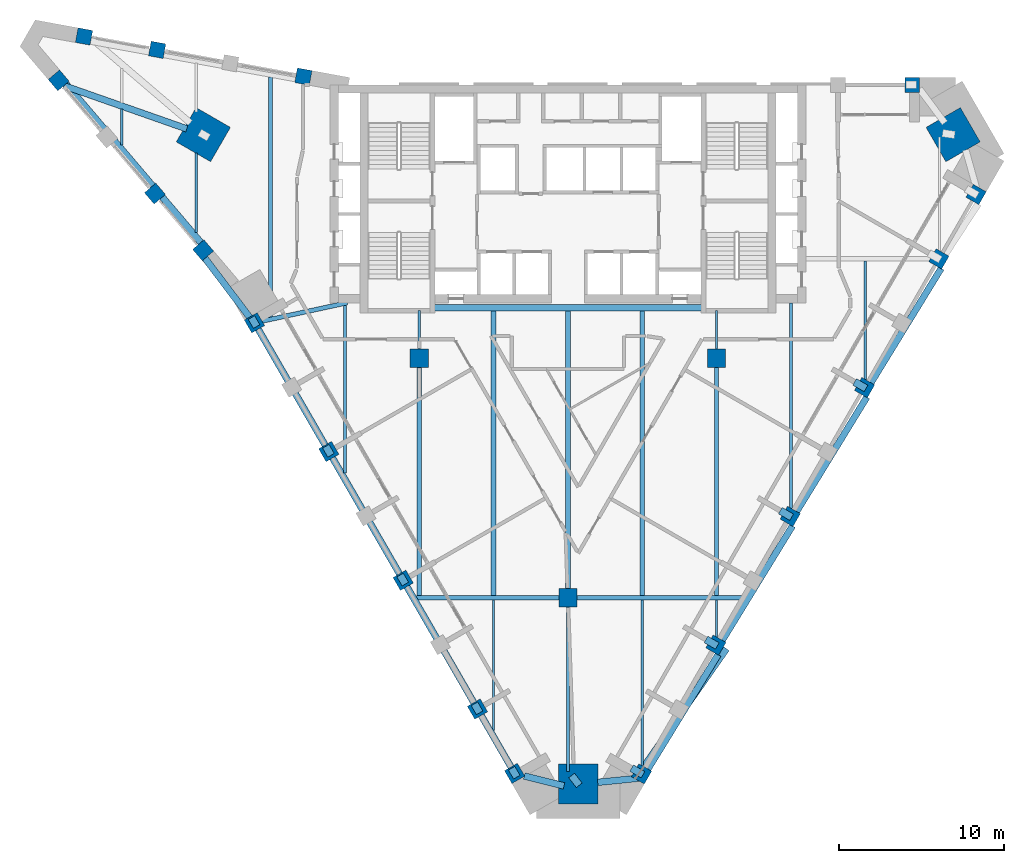
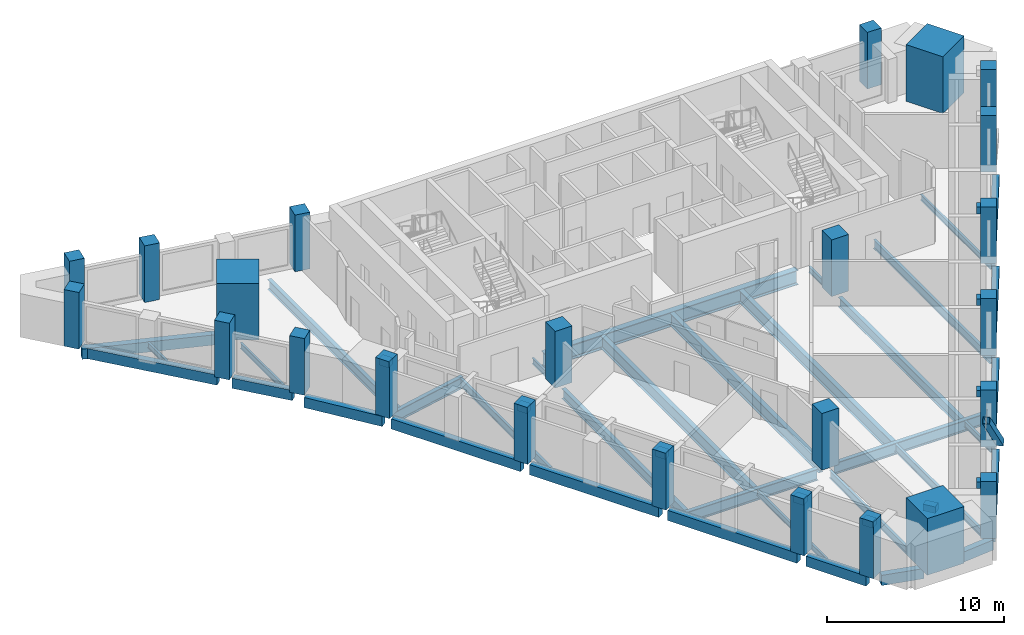
# One storey, part 1 of 9: 45 beams, 24 columns, 1 member.
"""IFC4 building model written with IfcOpenShell, lengths in metres."""

from ifc_helpers import new_model, si_unit, direction, frame, origin, origin_2d, place, context, subcontext, project, spatial, rectangle, hollow_rectangle, i_section, extrude, material, material_profile, profile_set, type_object, element, save


model = new_model("IFC4")

# Units and contexts
model_context = context("Model", 3, precision=1e-05, world=origin(), true_north=direction((0.0, 1.0)))
body_context = subcontext(model_context, "Body", "Model", "MODEL_VIEW")
ifc_project = project(units=[si_unit("LENGTHUNIT", "METRE"), si_unit("AREAUNIT", "SQUARE_METRE"), si_unit("VOLUMEUNIT", "CUBIC_METRE"), si_unit("PLANEANGLEUNIT", "RADIAN"), si_unit("MASSUNIT", "GRAM", prefix="KILO")], contexts=[model_context])

# Site, building, storey
site_placement = place(None, origin())
site = spatial("IfcSite", under=ifc_project, at=site_placement, CompositionType="ELEMENT")
building_placement = place(site_placement, origin())
building = spatial("IfcBuilding", under=site, at=building_placement, Name="Calabash Gate Tower", CompositionType="ELEMENT")
storey_placement = place(building_placement, frame((0.0, 0.0, 227.60009765625)))
storey = spatial("IfcBuildingStorey", under=building, at=storey_placement, Name="L54", CompositionType="ELEMENT", Elevation=227.60009765625)

# Columns
ifc_material_1 = material(Name="Concrete C60/75", Category="concrete")
ifc_material_profile_1 = material_profile(ifc_material_1, rectangle(XDim=1.10009765625, YDim=1.10009765625, at=origin_2d()))
ifc_profile_set_1 = profile_set([ifc_material_profile_1], Name="Concrete C60/75")
column_type_1 = type_object("IfcColumnType", Name="Interior column RC 1100x1100 Concrete C60/75", PredefinedType="COLUMN", material=ifc_profile_set_1)
for number, where, z_axis, x_axis, name in (
    (1, (-9.0, 2.5, 0.0), (0.0, 0.0, 1.0), (1.0, 0.0, 0.0), "Interior column L54 I0"),
    (2, (9.0, 2.5, 0.0), (0.0, 0.0, 1.0), (1.0, 0.0, 0.0), "Interior column L54 I1"),
    (3, (0.0, -12.0, 0.0), (0.0, 0.0, 1.0), (1.0, 0.0, 0.0), "Interior column L54 I2"),
):
    element("IfcColumn", number, at=place(storey_placement, frame(where, z_axis=z_axis, x_axis=x_axis)), inside=storey, type_object=column_type_1, Name=name, PredefinedType="COLUMN", context=body_context, shape_type="SweptSolid", body=[
        extrude(rectangle(XDim=1.10009765625, YDim=1.10009765625, at=origin_2d()), origin(), (0.0, 0.0, 1.0), 3.89990234375),
    ])
ifc_material_2 = material(Name="Concrete C70/85", Category="concrete")
ifc_material_profile_2 = material_profile(ifc_material_2, rectangle(XDim=2.39990234375, YDim=2.39990234375, at=origin_2d()))
ifc_profile_set_2 = profile_set([ifc_material_profile_2], Name="Concrete C70/85")
column_type_2 = type_object("IfcColumnType", Name="Mega column RC 2400x2400 Concrete C70/85", PredefinedType="COLUMN", material=ifc_profile_set_2)
for number, where, z_axis, x_axis, name in (
    (4, (-22.070068359375, 16.0380859375, 0.0), (0.0, 0.0, 1.0), (0.866025421238, -0.49999996977, 0.0), "Mega column L54 NW"),
    (5, (23.321044921875, 16.0380859375, 0.0), (0.0, 0.0, 1.0), (-0.866025421238, -0.49999996977, 0.0), "Mega column L54 NE"),
    (6, (0.6259765625, -23.27197265625, 0.0), (0.0, 0.0, 1.0), (0.0, 1.0, 0.0), "Mega column L54 S"),
):
    element("IfcColumn", number, at=place(storey_placement, frame(where, z_axis=z_axis, x_axis=x_axis)), inside=storey, type_object=column_type_2, Name=name, PredefinedType="COLUMN", context=body_context, shape_type="SweptSolid", body=[
        extrude(rectangle(XDim=2.39990234375, YDim=2.39990234375, at=origin_2d()), origin(), (0.0, 0.0, 1.0), 3.89990234375),
    ])
ifc_material_3 = material(Name="Concrete C60/75", Category="concrete")
ifc_material_profile_3 = material_profile(ifc_material_3, rectangle(XDim=0.89990234375, YDim=0.89990234375, at=origin_2d()))
ifc_profile_set_3 = profile_set([ifc_material_profile_3], Name="Concrete C60/75")
column_type_3 = type_object("IfcColumnType", Name="Perimeter column RC 900x900 Concrete C60/75", PredefinedType="COLUMN", material=ifc_profile_set_3)
for number, where, z_axis, x_axis, name in (
    (7, (-18.97412109375, 4.64599609375, 0.0), (0.0, 0.0, 1.0), (0.5, -0.866025403784, 0.0), "Perimeter column L54 P00"),
    (8, (-14.47412109375, -3.14794921875, 0.0), (0.0, 0.0, 1.0), (0.5, -0.866025403784, 0.0), "Perimeter column L54 P01"),
    (9, (-9.97412109375, -10.94189453125, 0.0), (0.0, 0.0, 1.0), (0.5, -0.866025403784, 0.0), "Perimeter column L54 P02"),
    (10, (-5.47412109375, -18.736083984375, 0.0), (0.0, 0.0, 1.0), (0.5, -0.866025403784, 0.0), "Perimeter column L54 P03"),
    (11, (-3.22412109375, -22.633056640625, 0.0), (0.0, 0.0, 1.0), (0.5, -0.866025403784, 0.0), "Perimeter column L54 P25"),
    (12, (4.458984375, -22.660888671875, 0.0), (0.0, 0.0, 1.0), (0.5, 0.866025403784, 0.0), "Perimeter column L54 P08"),
    (13, (8.958984375, -14.866943359375, 0.0), (0.0, 0.0, 1.0), (0.5, 0.866025403784, 0.0), "Perimeter column L54 P09"),
    (14, (13.458984375, -7.072998046875, 0.0), (0.0, 0.0, 1.0), (0.5, 0.866025403784, 0.0), "Perimeter column L54 P10"),
    (15, (17.958984375, 0.721923828125, 0.0), (0.0, 0.0, 1.0), (0.5, 0.866025403784, 0.0), "Perimeter column L54 P11"),
    (16, (22.458984375, 8.51611328125, 0.0), (0.0, 0.0, 1.0), (0.5, 0.866025403784, 0.0), "Perimeter column L54 P12"),
    (17, (24.708984375, 12.4130859375, 0.0), (0.0, 0.0, 1.0), (0.5, 0.866025403784, 0.0), "Perimeter column L54 P13"),
    (18, (20.843994140625, 19.052978515625, 0.0), (0.0, 0.0, 1.0), (-1.0, 0.0, 0.0), "Perimeter column L54 P24"),
    (19, (-16.012939453125, 19.551025390625, 0.0), (0.0, 0.0, 1.0), (-0.983669930074, 0.179981856499, 0.0), "Perimeter column L54 P31"),
    (20, (-24.865966796875, 21.1708984375, 0.0), (0.0, 0.0, 1.0), (-0.983669930074, 0.179981856499, 0.0), "Perimeter column L54 P32"),
    (21, (-29.29296875, 21.97998046875, 0.0), (0.0, 0.0, 1.0), (-0.983669930074, 0.179981856499, 0.0), "Perimeter column L54 P33"),
    (22, (-30.827880859375, 19.322021484375, 0.0), (0.0, 0.0, 1.0), (0.647703824985, -0.761892220133, 0.0), "Perimeter column L54 P34"),
    (23, (-24.998046875, 12.467041015625, 0.0), (0.0, 0.0, 1.0), (0.647703824985, -0.761892220133, 0.0), "Perimeter column L54 P20"),
    (24, (-22.083984375, 9.037109375, 0.0), (0.0, 0.0, 1.0), (0.647703824985, -0.761892220133, 0.0), "Perimeter column L54 P35"),
):
    element("IfcColumn", number, at=place(storey_placement, frame(where, z_axis=z_axis, x_axis=x_axis)), inside=storey, type_object=column_type_3, Name=name, PredefinedType="COLUMN", context=body_context, shape_type="SweptSolid", body=[
        extrude(rectangle(XDim=0.89990234375, YDim=0.89990234375, at=origin_2d()), origin(), (0.0, 0.0, 1.0), 3.89990234375),
    ])

# Beams
ifc_material_4 = material(Name="Concrete C80/95", Category="concrete")
ifc_material_profile_4 = material_profile(ifc_material_4, rectangle(XDim=0.449951171875, YDim=0.449951171875, at=origin_2d()))
ifc_profile_set_4 = profile_set([ifc_material_profile_4], Name="Concrete C80/95")
beam_type_1 = type_object("IfcBeamType", Name="Column offset link RC 450x450 Concrete C80/95", PredefinedType="BEAM", material=ifc_profile_set_4)
beam_1_placement = place(storey_placement, frame((-18.842041015625, 4.4189453125, 3.50390625), z_axis=(-0.500225913189, 0.86589493345, 0.0), x_axis=(-0.86589493345, -0.500225913189, 0.0)))
element("IfcBeam", 25, at=beam_1_placement, inside=storey, type_object=beam_type_1, Name="Column offset link L54 P00", PredefinedType="BEAM", context=body_context, shape_type="SweptSolid", body=[
    extrude(rectangle(XDim=0.449951171875, YDim=0.449951171875, at=origin_2d()), origin(), (0.0, 0.0, 1.0), 0.629638671875),
])
for number, where, z_axis, x_axis, name in (
    (26, (-14.342041015625, -3.3759765625, 3.50390625), (-0.49972245349, 0.866185586049, 0.0), (-0.866185586049, -0.49972245349, 0.0), "Column offset link L54 P01"),
    (27, (-9.842041015625, -11.169921875, 3.50390625), (-0.49972245349, 0.866185586049, 0.0), (-0.866185586049, -0.49972245349, 0.0), "Column offset link L54 P02"),
):
    element("IfcBeam", number, at=place(storey_placement, frame(where, z_axis=z_axis, x_axis=x_axis)), inside=storey, type_object=beam_type_1, Name=name, PredefinedType="BEAM", context=body_context, shape_type="SweptSolid", body=[
        extrude(rectangle(XDim=0.449951171875, YDim=0.449951171875, at=origin_2d()), origin(), (0.0, 0.0, 1.0), 0.630126953125),
    ])
beam_2_placement = place(storey_placement, frame((-5.342041015625, -18.964111328125, 3.50390625), z_axis=(-0.500225913189, 0.86589493345, 0.0), x_axis=(-0.86589493345, -0.500225913189, 0.0)))
element("IfcBeam", 28, at=beam_2_placement, inside=storey, type_object=beam_type_1, Name="Column offset link L54 P03", PredefinedType="BEAM", context=body_context, shape_type="SweptSolid", body=[
    extrude(rectangle(XDim=0.449951171875, YDim=0.449951171875, at=origin_2d()), origin(), (0.0, 0.0, 1.0), 0.629638671875),
])
beam_3_placement = place(storey_placement, frame((4.5458984375, -22.7109375, 3.50390625), z_axis=(-0.865313980427, 0.501230201882, 0.0), x_axis=(-0.501230201882, -0.865313980427, 0.0)))
element("IfcBeam", 29, at=beam_3_placement, inside=storey, type_object=beam_type_1, Name="Column offset link L54 P08", PredefinedType="BEAM", context=body_context, shape_type="SweptSolid", body=[
    extrude(rectangle(XDim=0.449951171875, YDim=0.449951171875, at=origin_2d()), origin(), (0.0, 0.0, 1.0), 0.7939453125),
])
beam_4_placement = place(storey_placement, frame((9.0458984375, -14.9169921875, 3.50390625), z_axis=(-0.866380295848, 0.499384804501, 0.0), x_axis=(-0.499384804501, -0.866380295848, 0.0)))
element("IfcBeam", 30, at=beam_4_placement, inside=storey, type_object=beam_type_1, Name="Column offset link L54 P09", PredefinedType="BEAM", context=body_context, shape_type="SweptSolid", body=[
    extrude(rectangle(XDim=0.449951171875, YDim=0.449951171875, at=origin_2d()), origin(), (0.0, 0.0, 1.0), 0.79296875),
])
beam_5_placement = place(storey_placement, frame((13.5458984375, -7.123046875, 3.50390625), z_axis=(-0.865847301479, 0.500308355439, 0.0), x_axis=(-0.500308355439, -0.865847301479, 0.0)))
element("IfcBeam", 31, at=beam_5_placement, inside=storey, type_object=beam_type_1, Name="Column offset link L54 P10", PredefinedType="BEAM", context=body_context, shape_type="SweptSolid", body=[
    extrude(rectangle(XDim=0.449951171875, YDim=0.449951171875, at=origin_2d()), origin(), (0.0, 0.0, 1.0), 0.79345703125),
])
beam_6_placement = place(storey_placement, frame((18.0458984375, 0.672119140625, 3.50390625), z_axis=(-0.866380295848, 0.499384804501, 0.0), x_axis=(-0.499384804501, -0.866380295848, 0.0)))
element("IfcBeam", 32, at=beam_6_placement, inside=storey, type_object=beam_type_1, Name="Column offset link L54 P11", PredefinedType="BEAM", context=body_context, shape_type="SweptSolid", body=[
    extrude(rectangle(XDim=0.449951171875, YDim=0.449951171875, at=origin_2d()), origin(), (0.0, 0.0, 1.0), 0.79296875),
])
beam_7_placement = place(storey_placement, frame((-3.092041015625, -22.861083984375, 3.50390625), z_axis=(-0.500225913189, 0.86589493345, 0.0), x_axis=(-0.86589493345, -0.500225913189, 0.0)))
element("IfcBeam", 33, at=beam_7_placement, inside=storey, type_object=beam_type_1, Name="Column offset link L54 P25", PredefinedType="BEAM", context=body_context, shape_type="SweptSolid", body=[
    extrude(rectangle(XDim=0.449951171875, YDim=0.449951171875, at=origin_2d()), origin(), (0.0, 0.0, 1.0), 0.629638671875),
])
beam_8_placement = place(storey_placement, frame((0.68798828125, -23.35009765625, 3.50390625), z_axis=(-0.618551093794, 0.785744579597, 0.0), x_axis=(-0.785744579597, -0.618551093794, 0.0)))
element("IfcBeam", 34, at=beam_8_placement, inside=storey, type_object=beam_type_1, Name="Column offset link L54 S", PredefinedType="BEAM", context=body_context, shape_type="SweptSolid", body=[
    extrude(rectangle(XDim=0.449951171875, YDim=0.449951171875, at=origin_2d()), origin(), (0.0, 0.0, 1.0), 0.75341796875),
])
ifc_material_5 = material(Name="Concrete C50/60", Category="concrete")
ifc_material_profile_5 = material_profile(ifc_material_5, rectangle(XDim=0.39990234375, YDim=0.699951171875, at=origin_2d()))
ifc_profile_set_5 = profile_set([ifc_material_profile_5], Name="Concrete C50/60")
beam_type_2 = type_object("IfcBeamType", Name="Edge beam RC 400x700 Concrete C50/60", PredefinedType="BEAM", material=ifc_profile_set_5)
beam_9_placement = place(storey_placement, frame((-14.260986328125, -3.51611328125, -0.52001953125), z_axis=(0.50008326424, -0.865977325816, 0.0), x_axis=(0.865977325816, 0.50008326424, 0.0)))
element("IfcBeam", 35, at=beam_9_placement, inside=storey, type_object=beam_type_2, Name="Edge beam L54 1", PredefinedType="BEAM", context=body_context, shape_type="SweptSolid", body=[
    extrude(rectangle(XDim=0.39990234375, YDim=0.699951171875, at=origin_2d()), origin(), (0.0, 0.0, 1.0), 8.41455078125),
])
beam_10_placement = place(storey_placement, frame((-9.760986328125, -11.31005859375, -0.52001953125), z_axis=(0.49997020258, -0.86604260665, 0.0), x_axis=(0.86604260665, 0.49997020258, 0.0)))
element("IfcBeam", 36, at=beam_10_placement, inside=storey, type_object=beam_type_2, Name="Edge beam L54 2", PredefinedType="BEAM", context=body_context, shape_type="SweptSolid", body=[
    extrude(rectangle(XDim=0.39990234375, YDim=0.699951171875, at=origin_2d()), origin(), (0.0, 0.0, 1.0), 8.41650390625),
])
beam_11_placement = place(storey_placement, frame((-5.260986328125, -19.10400390625, -0.52001953125), z_axis=(0.49981236974, -0.866133705068, 0.0), x_axis=(0.866133705068, 0.49981236974, 0.0)))
element("IfcBeam", 37, at=beam_11_placement, inside=storey, type_object=beam_type_2, Name="Edge beam L54 3", PredefinedType="BEAM", context=body_context, shape_type="SweptSolid", body=[
    extrude(rectangle(XDim=0.39990234375, YDim=0.699951171875, at=origin_2d()), origin(), (0.0, 0.0, 1.0), 3.91748046875),
])
beam_12_placement = place(storey_placement, frame((-2.64111328125, -22.7890625, -0.52001953125), z_axis=(0.970258111546, -0.242072710109, 0.0), x_axis=(0.242072710109, 0.970258111546, 0.0)))
element("IfcBeam", 38, at=beam_12_placement, inside=storey, type_object=beam_type_2, Name="Edge beam L54 4", PredefinedType="BEAM", context=body_context, shape_type="SweptSolid", body=[
    extrude(rectangle(XDim=0.39990234375, YDim=0.699951171875, at=origin_2d()), origin(), (0.0, 0.0, 1.0), 2.48193359375),
])
beam_13_placement = place(storey_placement, frame((1.802978515625, -23.173095703125, -0.52001953125), z_axis=(0.994956996176, 0.100302421506, 0.0), x_axis=(-0.100302421506, 0.994956996176, 0.0)))
element("IfcBeam", 39, at=beam_13_placement, inside=storey, type_object=beam_type_2, Name="Edge beam L54 5", PredefinedType="BEAM", context=body_context, shape_type="SweptSolid", body=[
    extrude(rectangle(XDim=0.39990234375, YDim=0.699951171875, at=origin_2d()), origin(), (0.0, 0.0, 1.0), 2.7236328125),
])
beam_14_placement = place(storey_placement, frame((4.8369140625, -22.383056640625, -0.52001953125), z_axis=(0.522914785384, 0.852384964219, 0.0), x_axis=(-0.852384964219, 0.522914785384, 0.0)))
element("IfcBeam", 40, at=beam_14_placement, inside=storey, type_object=beam_type_2, Name="Edge beam L54 6", PredefinedType="BEAM", context=body_context, shape_type="SweptSolid", body=[
    extrude(rectangle(XDim=0.39990234375, YDim=0.699951171875, at=origin_2d()), origin(), (0.0, 0.0, 1.0), 8.146728515625),
])
beam_15_placement = place(storey_placement, frame((9.3369140625, -14.591064453125, -0.52001953125), z_axis=(0.522701135347, 0.852515995807, 0.0), x_axis=(-0.852515995807, 0.522701135347, 0.0)))
element("IfcBeam", 41, at=beam_15_placement, inside=storey, type_object=beam_type_2, Name="Edge beam L54 7", PredefinedType="BEAM", context=body_context, shape_type="SweptSolid", body=[
    extrude(rectangle(XDim=0.39990234375, YDim=0.699951171875, at=origin_2d()), origin(), (0.0, 0.0, 1.0), 8.14990234375),
])
beam_16_placement = place(storey_placement, frame((13.8369140625, -6.797119140625, -0.52001953125), z_axis=(0.522807942643, 0.852450500093, 0.0), x_axis=(-0.852450500093, 0.522807942643, 0.0)))
element("IfcBeam", 42, at=beam_16_placement, inside=storey, type_object=beam_type_2, Name="Edge beam L54 8", PredefinedType="BEAM", context=body_context, shape_type="SweptSolid", body=[
    extrude(rectangle(XDim=0.39990234375, YDim=0.699951171875, at=origin_2d()), origin(), (0.0, 0.0, 1.0), 8.1484375),
])
beam_17_placement = place(storey_placement, frame((18.3369140625, 0.998046875, -0.52001953125), z_axis=(0.522861359582, 0.852417737178, 0.0), x_axis=(-0.852417737178, 0.522861359582, 0.0)))
element("IfcBeam", 43, at=beam_17_placement, inside=storey, type_object=beam_type_2, Name="Edge beam L54 9", PredefinedType="BEAM", context=body_context, shape_type="SweptSolid", body=[
    extrude(rectangle(XDim=0.39990234375, YDim=0.699951171875, at=origin_2d()), origin(), (0.0, 0.0, 1.0), 8.1474609375),
])
beam_18_placement = place(storey_placement, frame((-23.070068359375, 16.387939453125, -0.52001953125), z_axis=(-0.943576970451, 0.331153289028, 0.0), x_axis=(-0.331153289028, -0.943576970451, 0.0)))
element("IfcBeam", 44, at=beam_18_placement, inside=storey, type_object=beam_type_2, Name="Edge beam L54 16", PredefinedType="BEAM", context=body_context, shape_type="SweptSolid", body=[
    extrude(rectangle(XDim=0.39990234375, YDim=0.699951171875, at=origin_2d()), origin(), (0.0, 0.0, 1.0), 7.9091796875),
])
beam_19_placement = place(storey_placement, frame((-30.384033203125, 19.10888671875, -0.52001953125), z_axis=(0.647777896435, -0.761829243919, 0.0), x_axis=(0.761829243919, 0.647777896435, 0.0)))
element("IfcBeam", 45, at=beam_19_placement, inside=storey, type_object=beam_type_2, Name="Edge beam L54 17", PredefinedType="BEAM", context=body_context, shape_type="SweptSolid", body=[
    extrude(rectangle(XDim=0.39990234375, YDim=0.699951171875, at=origin_2d()), origin(), (0.0, 0.0, 1.0), 8.10009765625),
])
beam_20_placement = place(storey_placement, frame((-24.553955078125, 12.251953125, -0.52001953125), z_axis=(0.647579511056, -0.761997885076, 0.0), x_axis=(0.761997885076, 0.647579511056, 0.0)))
element("IfcBeam", 46, at=beam_20_placement, inside=storey, type_object=beam_type_2, Name="Edge beam L54 18", PredefinedType="BEAM", context=body_context, shape_type="SweptSolid", body=[
    extrude(rectangle(XDim=0.39990234375, YDim=0.699951171875, at=origin_2d()), origin(), (0.0, 0.0, 1.0), 3.599609375),
])
beam_21_placement = place(storey_placement, frame((-21.97705078125, 8.56689453125, -0.52001953125), z_axis=(0.603113036722, -0.797655730836, 0.0), x_axis=(0.797655730836, 0.603113036722, 0.0)))
element("IfcBeam", 47, at=beam_21_placement, inside=storey, type_object=beam_type_2, Name="Edge beam L54 19", PredefinedType="BEAM", context=body_context, shape_type="SweptSolid", body=[
    extrude(rectangle(XDim=0.39990234375, YDim=0.699951171875, at=origin_2d()), origin(), (0.0, 0.0, 1.0), 4.77392578125),
])
beam_22_placement = place(storey_placement, frame((-18.760986328125, 4.278076171875, -0.52001953125), z_axis=(0.49997020258, -0.86604260665, 0.0), x_axis=(0.86604260665, 0.49997020258, 0.0)))
element("IfcBeam", 48, at=beam_22_placement, inside=storey, type_object=beam_type_2, Name="Edge beam L54 20", PredefinedType="BEAM", context=body_context, shape_type="SweptSolid", body=[
    extrude(rectangle(XDim=0.39990234375, YDim=0.699951171875, at=origin_2d()), origin(), (0.0, 0.0, 1.0), 8.41650390625),
])
ifc_material_6 = material(Name="Steel ASTM A992 Gr50", Category="steel")
ifc_material_profile_6 = material_profile(ifc_material_6, i_section(OverallWidth=0.1396484375, OverallDepth=0.398681640625, WebThickness=0.00634765625, FlangeThickness=0.0087890625, FilletRadius=0.01025390625, at=origin_2d()))
ifc_profile_set_6 = profile_set([ifc_material_profile_6], Name="Steel ASTM A992 Gr50")
beam_type_3 = type_object("IfcBeamType", Name="Floor beam W16x26 ASTM A992 Gr50", PredefinedType="BEAM", material=ifc_profile_set_6)
beam_23_placement = place(storey_placement, frame((-27.0, 15.416015625, -0.369140625), z_axis=(0.0, 1.0, 0.0), x_axis=(-1.0, 0.0, 0.0)))
element("IfcBeam", 49, at=beam_23_placement, inside=storey, type_object=beam_type_3, Name="Floor beam L54 1", PredefinedType="BEAM", context=body_context, shape_type="SweptSolid", body=[
    extrude(i_section(OverallWidth=0.1396484375, OverallDepth=0.398681640625, WebThickness=0.00634765625, FlangeThickness=0.0087890625, FilletRadius=0.01025390625, at=origin_2d()), origin(), (0.0, 0.0, 1.0), 2.1708984375),
])
beam_24_placement = place(storey_placement, frame((-22.5, 10.1220703125, -0.369140625), z_axis=(0.0, 1.0, 0.0), x_axis=(-1.0, 0.0, 0.0)))
element("IfcBeam", 50, at=beam_24_placement, inside=storey, type_object=beam_type_3, Name="Floor beam L54 3", PredefinedType="BEAM", context=body_context, shape_type="SweptSolid", body=[
    extrude(i_section(OverallWidth=0.1396484375, OverallDepth=0.398681640625, WebThickness=0.00634765625, FlangeThickness=0.0087890625, FilletRadius=0.01025390625, at=origin_2d()), origin(), (0.0, 0.0, 1.0), 4.802001953125),
])
beam_25_placement = place(storey_placement, frame((-9.0, 3.050048828125, -0.369140625), z_axis=(0.0, 1.0, 0.0), x_axis=(-1.0, 0.0, 0.0)))
element("IfcBeam", 51, at=beam_25_placement, inside=storey, type_object=beam_type_3, Name="Floor beam L54 8", PredefinedType="BEAM", context=body_context, shape_type="SweptSolid", body=[
    extrude(i_section(OverallWidth=0.1396484375, OverallDepth=0.398681640625, WebThickness=0.00634765625, FlangeThickness=0.0087890625, FilletRadius=0.01025390625, at=origin_2d()), origin(), (0.0, 0.0, 1.0), 2.35302734375),
])
beam_26_placement = place(storey_placement, frame((-4.5, -20.033935546875, -0.369140625), z_axis=(0.0, 1.0, 0.0), x_axis=(-1.0, 0.0, 0.0)))
element("IfcBeam", 52, at=beam_26_placement, inside=storey, type_object=beam_type_3, Name="Floor beam L54 9", PredefinedType="BEAM", context=body_context, shape_type="SweptSolid", body=[
    extrude(i_section(OverallWidth=0.1396484375, OverallDepth=0.398681640625, WebThickness=0.00634765625, FlangeThickness=0.0087890625, FilletRadius=0.01025390625, at=origin_2d()), origin(), (0.0, 0.0, 1.0), 7.90087890625),
])
beam_27_placement = place(storey_placement, frame((9.0, -15.10791015625, -0.369140625), z_axis=(0.0, 1.0, 0.0), x_axis=(-1.0, 0.0, 0.0)))
element("IfcBeam", 53, at=beam_27_placement, inside=storey, type_object=beam_type_3, Name="Floor beam L54 15", PredefinedType="BEAM", context=body_context, shape_type="SweptSolid", body=[
    extrude(i_section(OverallWidth=0.1396484375, OverallDepth=0.398681640625, WebThickness=0.00634765625, FlangeThickness=0.0087890625, FilletRadius=0.01025390625, at=origin_2d()), origin(), (0.0, 0.0, 1.0), 2.974853515625),
])
beam_28_placement = place(storey_placement, frame((9.0, 3.050048828125, -0.369140625), z_axis=(0.0, 1.0, 0.0), x_axis=(-1.0, 0.0, 0.0)))
element("IfcBeam", 54, at=beam_28_placement, inside=storey, type_object=beam_type_3, Name="Floor beam L54 17", PredefinedType="BEAM", context=body_context, shape_type="SweptSolid", body=[
    extrude(i_section(OverallWidth=0.1396484375, OverallDepth=0.398681640625, WebThickness=0.00634765625, FlangeThickness=0.0087890625, FilletRadius=0.01025390625, at=origin_2d()), origin(), (0.0, 0.0, 1.0), 2.35302734375),
])
beam_29_placement = place(storey_placement, frame((18.0, 0.47998046875, -0.369140625), z_axis=(0.0, 1.0, 0.0), x_axis=(-1.0, 0.0, 0.0)))
element("IfcBeam", 55, at=beam_29_placement, inside=storey, type_object=beam_type_3, Name="Floor beam L54 19", PredefinedType="BEAM", context=body_context, shape_type="SweptSolid", body=[
    extrude(i_section(OverallWidth=0.1396484375, OverallDepth=0.398681640625, WebThickness=0.00634765625, FlangeThickness=0.0087890625, FilletRadius=0.01025390625, at=origin_2d()), origin(), (0.0, 0.0, 1.0), 7.902099609375),
])
ifc_material_7 = material(Name="Steel ASTM A992 Gr50", Category="steel")
ifc_material_profile_7 = material_profile(ifc_material_7, i_section(OverallWidth=0.166015625, OverallDepth=0.5283203125, WebThickness=0.009765625, FlangeThickness=0.013671875, FilletRadius=0.0126953125, at=origin_2d()))
ifc_profile_set_7 = profile_set([ifc_material_profile_7], Name="Steel ASTM A992 Gr50")
beam_type_4 = type_object("IfcBeamType", Name="Floor beam W21x50 ASTM A992 Gr50", PredefinedType="BEAM", material=ifc_profile_set_7)
beam_30_placement = place(storey_placement, frame((-13.5, -4.446044921875, -0.43408203125), z_axis=(0.0, 1.0, 0.0), x_axis=(-1.0, 0.0, 0.0)))
element("IfcBeam", 56, at=beam_30_placement, inside=storey, type_object=beam_type_4, Name="Floor beam L54 6", PredefinedType="BEAM", context=body_context, shape_type="SweptSolid", body=[
    extrude(i_section(OverallWidth=0.166015625, OverallDepth=0.5283203125, WebThickness=0.009765625, FlangeThickness=0.013671875, FilletRadius=0.0126953125, at=origin_2d()), origin(), (0.0, 0.0, 1.0), 10.170166015625),
])
beam_31_placement = place(storey_placement, frame((0.0, -22.50390625, -0.43408203125), z_axis=(0.0, 1.0, 0.0), x_axis=(-1.0, 0.0, 0.0)))
element("IfcBeam", 57, at=beam_31_placement, inside=storey, type_object=beam_type_4, Name="Floor beam L54 11", PredefinedType="BEAM", context=body_context, shape_type="SweptSolid", body=[
    extrude(i_section(OverallWidth=0.166015625, OverallDepth=0.5283203125, WebThickness=0.009765625, FlangeThickness=0.013671875, FilletRadius=0.0126953125, at=origin_2d()), origin(), (0.0, 0.0, 1.0), 9.953857421875),
])
beam_32_placement = place(storey_placement, frame((4.5, -22.802978515625, -0.43408203125), z_axis=(0.0, 1.0, 0.0), x_axis=(-1.0, 0.0, 0.0)))
element("IfcBeam", 58, at=beam_32_placement, inside=storey, type_object=beam_type_4, Name="Floor beam L54 13", PredefinedType="BEAM", context=body_context, shape_type="SweptSolid", body=[
    extrude(i_section(OverallWidth=0.166015625, OverallDepth=0.5283203125, WebThickness=0.009765625, FlangeThickness=0.013671875, FilletRadius=0.0126953125, at=origin_2d()), origin(), (0.0, 0.0, 1.0), 10.669921875),
])
ifc_material_8 = material(Name="Steel ASTM A992 Gr50", Category="steel")
ifc_material_profile_8 = material_profile(ifc_material_8, i_section(OverallWidth=0.1787109375, OverallDepth=0.60205078125, WebThickness=0.010986328125, FlangeThickness=0.014892578125, FilletRadius=0.0126953125, at=origin_2d()))
ifc_profile_set_8 = profile_set([ifc_material_profile_8], Name="Steel ASTM A992 Gr50")
beam_type_5 = type_object("IfcBeamType", Name="Floor beam W24x62 ASTM A992 Gr50", PredefinedType="BEAM", material=ifc_profile_set_8)
beam_33_placement = place(storey_placement, frame((13.5, -7.31396484375, -0.47119140625), z_axis=(0.0, 1.0, 0.0), x_axis=(-1.0, 0.0, 0.0)))
element("IfcBeam", 59, at=beam_33_placement, inside=storey, type_object=beam_type_5, Name="Floor beam L54 18", PredefinedType="BEAM", context=body_context, shape_type="SweptSolid", body=[
    extrude(i_section(OverallWidth=0.1787109375, OverallDepth=0.60205078125, WebThickness=0.010986328125, FlangeThickness=0.014892578125, FilletRadius=0.0126953125, at=origin_2d()), origin(), (0.0, 0.0, 1.0), 13.1669921875),
])
ifc_material_9 = material(Name="Steel ASTM A992 Gr50", Category="steel")
ifc_material_profile_9 = material_profile(ifc_material_9, i_section(OverallWidth=0.25390625, OverallDepth=0.67822265625, WebThickness=0.01171875, FlangeThickness=0.016357421875, FilletRadius=0.01513671875, at=origin_2d()))
ifc_profile_set_9 = profile_set([ifc_material_profile_9], Name="Steel ASTM A992 Gr50")
beam_type_6 = type_object("IfcBeamType", Name="Floor beam W27x84 ASTM A992 Gr50", PredefinedType="BEAM", material=ifc_profile_set_9)
beam_34_placement = place(storey_placement, frame((-18.0, 4.9609375, -0.509033203125), z_axis=(0.0, 1.0, 0.0), x_axis=(-1.0, 0.0, 0.0)))
element("IfcBeam", 60, at=beam_34_placement, inside=storey, type_object=beam_type_6, Name="Floor beam L54 5", PredefinedType="BEAM", context=body_context, shape_type="SweptSolid", body=[
    extrude(i_section(OverallWidth=0.25390625, OverallDepth=0.67822265625, WebThickness=0.01171875, FlangeThickness=0.016357421875, FilletRadius=0.01513671875, at=origin_2d()), origin(), (0.0, 0.0, 1.0), 14.5791015625),
])
beam_35_placement = place(storey_placement, frame((-9.0, -11.8798828125, -0.509033203125), z_axis=(0.0, 1.0, 0.0), x_axis=(-1.0, 0.0, 0.0)))
element("IfcBeam", 61, at=beam_35_placement, inside=storey, type_object=beam_type_6, Name="Floor beam L54 7", PredefinedType="BEAM", context=body_context, shape_type="SweptSolid", body=[
    extrude(i_section(OverallWidth=0.25390625, OverallDepth=0.67822265625, WebThickness=0.01171875, FlangeThickness=0.016357421875, FilletRadius=0.01513671875, at=origin_2d()), origin(), (0.0, 0.0, 1.0), 13.829833984375),
])
beam_36_placement = place(storey_placement, frame((9.0, -11.866943359375, -0.509033203125), z_axis=(0.0, 1.0, 0.0), x_axis=(-1.0, 0.0, 0.0)))
element("IfcBeam", 62, at=beam_36_placement, inside=storey, type_object=beam_type_6, Name="Floor beam L54 16", PredefinedType="BEAM", context=body_context, shape_type="SweptSolid", body=[
    extrude(i_section(OverallWidth=0.25390625, OverallDepth=0.67822265625, WebThickness=0.01171875, FlangeThickness=0.016357421875, FilletRadius=0.01513671875, at=origin_2d()), origin(), (0.0, 0.0, 1.0), 13.81689453125),
])
ifc_material_10 = material(Name="Steel ASTM A992 Gr50", Category="steel")
ifc_material_profile_10 = material_profile(ifc_material_10, i_section(OverallWidth=0.2919921875, OverallDepth=0.845703125, WebThickness=0.015380859375, FlangeThickness=0.0244140625, FilletRadius=0.017822265625, at=origin_2d()))
ifc_profile_set_10 = profile_set([ifc_material_profile_10], Name="Steel ASTM A992 Gr50")
beam_type_7 = type_object("IfcBeamType", Name="Floor beam W33x141 ASTM A992 Gr50", PredefinedType="BEAM", material=ifc_profile_set_10)
beam_37_placement = place(storey_placement, frame((-4.5, -11.866943359375, -0.593017578125), z_axis=(0.0, 1.0, 0.0), x_axis=(-1.0, 0.0, 0.0)))
element("IfcBeam", 63, at=beam_37_placement, inside=storey, type_object=beam_type_7, Name="Floor beam L54 10", PredefinedType="BEAM", context=body_context, shape_type="SweptSolid", body=[
    extrude(i_section(OverallWidth=0.2919921875, OverallDepth=0.845703125, WebThickness=0.015380859375, FlangeThickness=0.0244140625, FilletRadius=0.017822265625, at=origin_2d()), origin(), (0.0, 0.0, 1.0), 17.218994140625),
])
beam_38_placement = place(storey_placement, frame((0.0, -11.449951171875, -0.593017578125), z_axis=(0.0, 1.0, 0.0), x_axis=(-1.0, 0.0, 0.0)))
element("IfcBeam", 64, at=beam_38_placement, inside=storey, type_object=beam_type_7, Name="Floor beam L54 12", PredefinedType="BEAM", context=body_context, shape_type="SweptSolid", body=[
    extrude(i_section(OverallWidth=0.2919921875, OverallDepth=0.845703125, WebThickness=0.015380859375, FlangeThickness=0.0244140625, FilletRadius=0.017822265625, at=origin_2d()), origin(), (0.0, 0.0, 1.0), 16.802001953125),
])
beam_39_placement = place(storey_placement, frame((4.5, -11.866943359375, -0.593017578125), z_axis=(0.0, 1.0, 0.0), x_axis=(-1.0, 0.0, 0.0)))
element("IfcBeam", 65, at=beam_39_placement, inside=storey, type_object=beam_type_7, Name="Floor beam L54 14", PredefinedType="BEAM", context=body_context, shape_type="SweptSolid", body=[
    extrude(i_section(OverallWidth=0.2919921875, OverallDepth=0.845703125, WebThickness=0.015380859375, FlangeThickness=0.0244140625, FilletRadius=0.017822265625, at=origin_2d()), origin(), (0.0, 0.0, 1.0), 17.218994140625),
])
ifc_material_11 = material(Name="Steel ASTM A992 Gr50", Category="steel")
ifc_material_profile_11 = material_profile(ifc_material_11, i_section(OverallWidth=0.2666015625, OverallDepth=0.77978515625, WebThickness=0.0166015625, FlangeThickness=0.030029296875, FilletRadius=0.0166015625, at=origin_2d()))
ifc_profile_set_11 = profile_set([ifc_material_profile_11], Name="Steel ASTM A992 Gr50")
beam_type_8 = type_object("IfcBeamType", Name="Girder W30x148 ASTM A992 Gr50", PredefinedType="BEAM", material=ifc_profile_set_11)
beam_40_placement = place(storey_placement, frame((-18.532958984375, 4.741943359375, -0.56005859375), z_axis=(0.977491590315, 0.210974384379, 0.0), x_axis=(-0.210974384379, 0.977491590315, 0.0)))
element("IfcBeam", 66, at=beam_40_placement, inside=storey, type_object=beam_type_8, Name="Girder L54 2", PredefinedType="BEAM", context=body_context, shape_type="SweptSolid", body=[
    extrude(i_section(OverallWidth=0.2666015625, OverallDepth=0.77978515625, WebThickness=0.0166015625, FlangeThickness=0.030029296875, FilletRadius=0.0166015625, at=origin_2d()), origin(), (0.0, 0.0, 1.0), 5.294189453125),
])
beam_41_placement = place(storey_placement, frame((-9.153076171875, -12.0, -0.56005859375), z_axis=(1.0, 0.0, 0.0), x_axis=(0.0, 1.0, 0.0)))
element("IfcBeam", 67, at=beam_41_placement, inside=storey, type_object=beam_type_8, Name="Girder L54 4", PredefinedType="BEAM", context=body_context, shape_type="SweptSolid", body=[
    extrude(i_section(OverallWidth=0.2666015625, OverallDepth=0.77978515625, WebThickness=0.0166015625, FlangeThickness=0.030029296875, FilletRadius=0.0166015625, at=origin_2d()), origin(), (0.0, 0.0, 1.0), 8.60302734375),
])
beam_42_placement = place(storey_placement, frame((0.550048828125, -12.0, -0.56005859375), z_axis=(1.0, 0.0, 0.0), x_axis=(0.0, 1.0, 0.0)))
element("IfcBeam", 68, at=beam_42_placement, inside=storey, type_object=beam_type_8, Name="Girder L54 5", PredefinedType="BEAM", context=body_context, shape_type="SweptSolid", body=[
    extrude(i_section(OverallWidth=0.2666015625, OverallDepth=0.77978515625, WebThickness=0.0166015625, FlangeThickness=0.030029296875, FilletRadius=0.0166015625, at=origin_2d()), origin(), (0.0, 0.0, 1.0), 10.156982421875),
])
ifc_material_12 = material(Name="Steel ASTM A992 Gr50", Category="steel")
ifc_material_profile_12 = material_profile(ifc_material_12, i_section(OverallWidth=0.4013671875, OverallDepth=1.000732421875, WebThickness=0.01904296875, FlangeThickness=0.0361328125, FilletRadius=0.030029296875, at=origin_2d()))
ifc_profile_set_12 = profile_set([ifc_material_profile_12], Name="Steel ASTM A992 Gr50")
beam_type_9 = type_object("IfcBeamType", Name="Girder W40x249 ASTM A992 Gr50", PredefinedType="BEAM", material=ifc_profile_set_12)
beam_43_placement = place(storey_placement, frame((-8.25, 5.552978515625, -0.670166015625), z_axis=(1.0, 0.0, 0.0), x_axis=(0.0, 1.0, 0.0)))
element("IfcBeam", 69, at=beam_43_placement, inside=storey, type_object=beam_type_9, Name="Girder L54 1", PredefinedType="BEAM", context=body_context, shape_type="SweptSolid", body=[
    extrude(i_section(OverallWidth=0.4013671875, OverallDepth=1.000732421875, WebThickness=0.01904296875, FlangeThickness=0.0361328125, FilletRadius=0.030029296875, at=origin_2d()), origin(), (0.0, 0.0, 1.0), 16.5),
])

# Member
ifc_material_13 = material(Name="Steel ASTM A500 Gr C", Category="steel")
ifc_material_profile_13 = material_profile(ifc_material_13, hollow_rectangle(XDim=0.406494140625, YDim=0.406494140625, WallThickness=0.015869140625, at=origin_2d()))
ifc_profile_set_13 = profile_set([ifc_material_profile_13], Name="Steel ASTM A500 Gr C")
member_type = type_object("IfcMemberType", Name="Mega-brace HSS16X16X.625 ASTM A500 Gr C", PredefinedType="BRACE", material=ifc_profile_set_13)
member_placement = place(storey_placement, frame((9.52490234375, -15.193603515625, 0.0), z_axis=(-0.434093204446, -0.620057170405, 0.653522911062), x_axis=(0.81919890807, -0.573509502116, 0.0)))
element("IfcMember", 70, at=member_placement, inside=storey, type_object=member_type, Name="Mega-brace SE Z4 36", PredefinedType="BRACE", context=body_context, shape_type="SweptSolid", body=[
    extrude(hollow_rectangle(XDim=0.406494140625, YDim=0.406494140625, WallThickness=0.015869140625, at=origin_2d()), origin(), (0.0, 0.0, 1.0), 11.93505859375),
])

save(model, "model.ifc")
